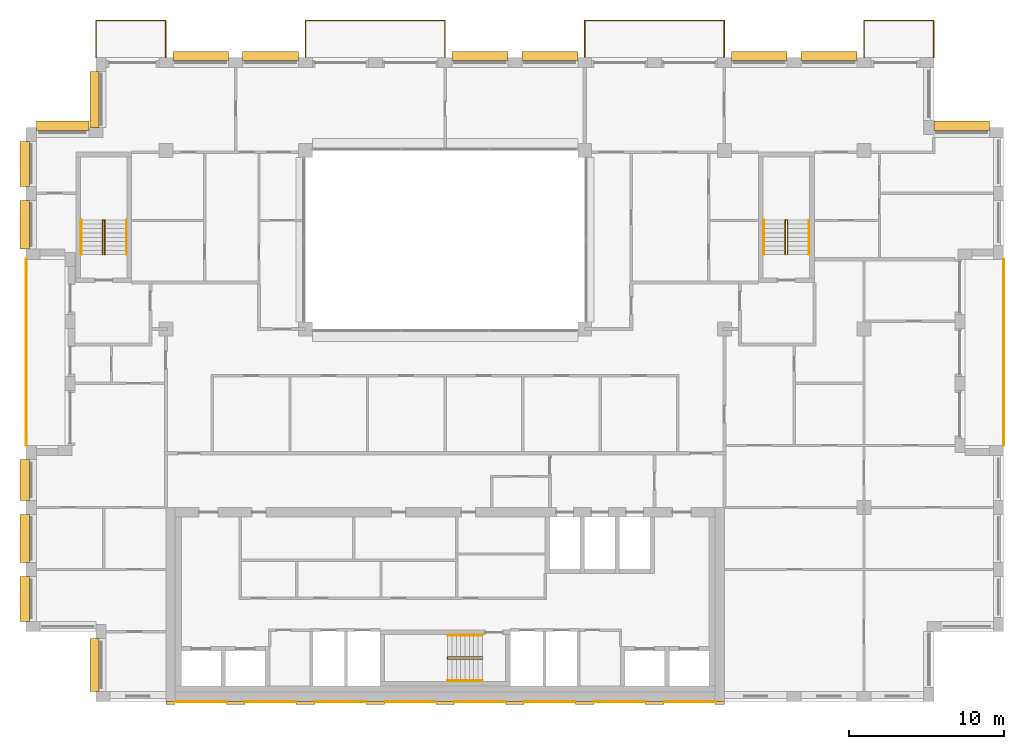
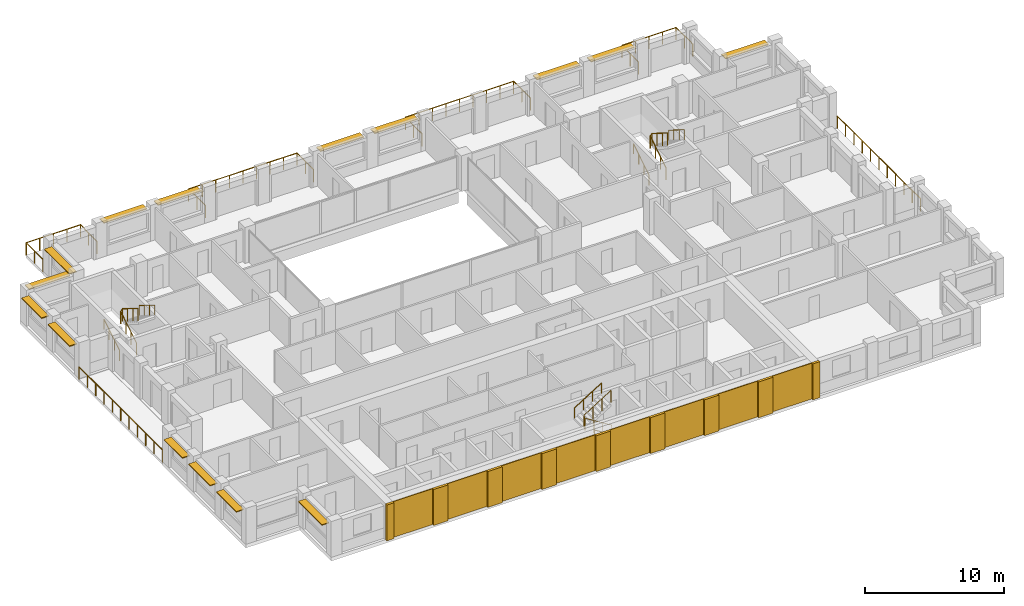
# One storey, part 15 of 15: 17 coverings, 15 railings, 15 shading devices.
"""IFC4 building model written with IfcOpenShell, lengths in metres."""

from ifc_helpers import new_model, si_unit, direction, frame, origin, origin_2d, place, context, subcontext, project, spatial, rectangle, circle, extrude, material, layer, layer_set, type_object, element, save


model = new_model("IFC4")

# Units and contexts
model_context = context("Model", 3, precision=1e-05, world=origin(), true_north=direction((0.0, 1.0)))
body_context = subcontext(model_context, "Body", "Model", "MODEL_VIEW")
ifc_project = project(units=[si_unit("LENGTHUNIT", "METRE"), si_unit("AREAUNIT", "SQUARE_METRE"), si_unit("VOLUMEUNIT", "CUBIC_METRE"), si_unit("PLANEANGLEUNIT", "RADIAN"), si_unit("MASSUNIT", "GRAM", prefix="KILO")], contexts=[model_context])

# Site, building, storey
site_placement = place(None, origin())
site = spatial("IfcSite", under=ifc_project, at=site_placement, CompositionType="ELEMENT")
building_placement = place(site_placement, origin())
building = spatial("IfcBuilding", under=site, at=building_placement, Name="Brigalow Station Residences", CompositionType="ELEMENT")
storey_placement = place(building_placement, frame((0.0, 0.0, 207.449951171875)))
storey = spatial("IfcBuildingStorey", under=building, at=storey_placement, Name="L59", CompositionType="ELEMENT", Elevation=207.449951171875)

# Railings
ifc_material_1 = material(Name="Stainless steel balustrade with laminated glass infill", Category="steel")
railing_type_1 = type_object("IfcRailingType", Name="BALCONY GUARD 1100", PredefinedType="GUARDRAIL", material=ifc_material_1)
railing_1_placement = place(storey_placement, frame((72.0, 16.5, -0.0400390625)))
element("IfcRailing", 1, at=railing_1_placement, inside=storey, type_object=railing_type_1, Name="L59/balcony-guard/1", PredefinedType="GUARDRAIL", context=body_context, shape_type="SweptSolid", body=[
    extrude(circle(Radius=0.02392578125, at=origin_2d()), frame((0.0, 0.0, 1.076171875), z_axis=(0.0, 1.0, 0.0), x_axis=(-1.0, 0.0, 0.0)), (0.0, 0.0, 1.0), 12.0),
    extrude(circle(Radius=0.02099609375, at=origin_2d()), origin(), (0.0, 0.0, 1.0), 1.052001953125),
    extrude(circle(Radius=0.02099609375, at=origin_2d()), frame((0.0, 1.199951171875, 0.0)), (0.0, 0.0, 1.0), 1.052001953125),
    extrude(circle(Radius=0.02099609375, at=origin_2d()), frame((0.0, 2.39990234375, 0.0)), (0.0, 0.0, 1.0), 1.052001953125),
    extrude(circle(Radius=0.02099609375, at=origin_2d()), frame((0.0, 3.60009765625, 0.0)), (0.0, 0.0, 1.0), 1.052001953125),
    extrude(circle(Radius=0.02099609375, at=origin_2d()), frame((0.0, 4.800048828125, 0.0)), (0.0, 0.0, 1.0), 1.052001953125),
    extrude(circle(Radius=0.02099609375, at=origin_2d()), frame((0.0, 6.0, 0.0)), (0.0, 0.0, 1.0), 1.052001953125),
    extrude(circle(Radius=0.02099609375, at=origin_2d()), frame((0.0, 7.199951171875, 0.0)), (0.0, 0.0, 1.0), 1.052001953125),
    extrude(circle(Radius=0.02099609375, at=origin_2d()), frame((0.0, 8.39990234375, 0.0)), (0.0, 0.0, 1.0), 1.052001953125),
    extrude(circle(Radius=0.02099609375, at=origin_2d()), frame((0.0, 9.60009765625, 0.0)), (0.0, 0.0, 1.0), 1.052001953125),
    extrude(circle(Radius=0.02099609375, at=origin_2d()), frame((0.0, 10.800048828125, 0.0)), (0.0, 0.0, 1.0), 1.052001953125),
    extrude(circle(Radius=0.02099609375, at=origin_2d()), frame((0.0, 12.0, 0.0)), (0.0, 0.0, 1.0), 1.052001953125),
])
railing_2_placement = place(storey_placement, frame((67.5, 41.5, -0.0400390625)))
element("IfcRailing", 2, at=railing_2_placement, inside=storey, type_object=railing_type_1, Name="L59/balcony-guard/2", PredefinedType="GUARDRAIL", context=body_context, shape_type="SweptSolid", body=[
    extrude(circle(Radius=0.02392578125, at=origin_2d()), frame((0.0, 0.0, 1.076171875), z_axis=(0.0, 1.0, 0.0), x_axis=(-1.0, 0.0, 0.0)), (0.0, 0.0, 1.0), 2.39990234375),
    extrude(circle(Radius=0.02392578125, at=origin_2d()), frame((0.0, 2.39990234375, 1.076171875), z_axis=(-1.0, 0.0, 0.0), x_axis=(0.0, -1.0, 0.0)), (0.0, 0.0, 1.0), 4.5),
    extrude(circle(Radius=0.02392578125, at=origin_2d()), frame((-4.5, 2.39990234375, 1.076171875), z_axis=(0.0, -1.0, 0.0), x_axis=(1.0, 0.0, 0.0)), (0.0, 0.0, 1.0), 2.39990234375),
    extrude(circle(Radius=0.02099609375, at=origin_2d()), origin(), (0.0, 0.0, 1.0), 1.052001953125),
    extrude(circle(Radius=0.02099609375, at=origin_2d()), frame((0.0, 1.199951171875, 0.0)), (0.0, 0.0, 1.0), 1.052001953125),
    extrude(circle(Radius=0.02099609375, at=origin_2d()), frame((0.0, 2.39990234375, 0.0)), (0.0, 0.0, 1.0), 1.052001953125),
    extrude(circle(Radius=0.02099609375, at=origin_2d()), frame((-1.125, 2.39990234375, 0.0)), (0.0, 0.0, 1.0), 1.052001953125),
    extrude(circle(Radius=0.02099609375, at=origin_2d()), frame((-2.25, 2.39990234375, 0.0)), (0.0, 0.0, 1.0), 1.052001953125),
    extrude(circle(Radius=0.02099609375, at=origin_2d()), frame((-3.375, 2.39990234375, 0.0)), (0.0, 0.0, 1.0), 1.052001953125),
    extrude(circle(Radius=0.02099609375, at=origin_2d()), frame((-4.5, 2.39990234375, 0.0)), (0.0, 0.0, 1.0), 1.052001953125),
    extrude(circle(Radius=0.02099609375, at=origin_2d()), frame((-4.5, 1.199951171875, 0.0)), (0.0, 0.0, 1.0), 1.052001953125),
    extrude(circle(Radius=0.02099609375, at=origin_2d()), frame((-4.5, 0.0, 0.0)), (0.0, 0.0, 1.0), 1.052001953125),
])
railing_3_placement = place(storey_placement, frame((54.0, 41.5, -0.0400390625)))
element("IfcRailing", 3, at=railing_3_placement, inside=storey, type_object=railing_type_1, Name="L59/balcony-guard/3", PredefinedType="GUARDRAIL", context=body_context, shape_type="SweptSolid", body=[
    extrude(circle(Radius=0.02392578125, at=origin_2d()), frame((0.0, 0.0, 1.076171875), z_axis=(0.0, 1.0, 0.0), x_axis=(-1.0, 0.0, 0.0)), (0.0, 0.0, 1.0), 2.39990234375),
    extrude(circle(Radius=0.02392578125, at=origin_2d()), frame((0.0, 2.39990234375, 1.076171875), z_axis=(-1.0, 0.0, 0.0), x_axis=(0.0, -1.0, 0.0)), (0.0, 0.0, 1.0), 9.0),
    extrude(circle(Radius=0.02392578125, at=origin_2d()), frame((-9.0, 2.39990234375, 1.076171875), z_axis=(0.0, -1.0, 0.0), x_axis=(1.0, 0.0, 0.0)), (0.0, 0.0, 1.0), 2.39990234375),
    extrude(circle(Radius=0.02099609375, at=origin_2d()), origin(), (0.0, 0.0, 1.0), 1.052001953125),
    extrude(circle(Radius=0.02099609375, at=origin_2d()), frame((0.0, 1.199951171875, 0.0)), (0.0, 0.0, 1.0), 1.052001953125),
    extrude(circle(Radius=0.02099609375, at=origin_2d()), frame((0.0, 2.39990234375, 0.0)), (0.0, 0.0, 1.0), 1.052001953125),
    extrude(circle(Radius=0.02099609375, at=origin_2d()), frame((-1.125, 2.39990234375, 0.0)), (0.0, 0.0, 1.0), 1.052001953125),
    extrude(circle(Radius=0.02099609375, at=origin_2d()), frame((-2.25, 2.39990234375, 0.0)), (0.0, 0.0, 1.0), 1.052001953125),
    extrude(circle(Radius=0.02099609375, at=origin_2d()), frame((-3.375, 2.39990234375, 0.0)), (0.0, 0.0, 1.0), 1.052001953125),
    extrude(circle(Radius=0.02099609375, at=origin_2d()), frame((-4.5, 2.39990234375, 0.0)), (0.0, 0.0, 1.0), 1.052001953125),
    extrude(circle(Radius=0.02099609375, at=origin_2d()), frame((-5.625, 2.39990234375, 0.0)), (0.0, 0.0, 1.0), 1.052001953125),
    extrude(circle(Radius=0.02099609375, at=origin_2d()), frame((-6.75, 2.39990234375, 0.0)), (0.0, 0.0, 1.0), 1.052001953125),
    extrude(circle(Radius=0.02099609375, at=origin_2d()), frame((-7.875, 2.39990234375, 0.0)), (0.0, 0.0, 1.0), 1.052001953125),
    extrude(circle(Radius=0.02099609375, at=origin_2d()), frame((-9.0, 2.39990234375, 0.0)), (0.0, 0.0, 1.0), 1.052001953125),
    extrude(circle(Radius=0.02099609375, at=origin_2d()), frame((-9.0, 1.199951171875, 0.0)), (0.0, 0.0, 1.0), 1.052001953125),
    extrude(circle(Radius=0.02099609375, at=origin_2d()), frame((-9.0, 0.0, 0.0)), (0.0, 0.0, 1.0), 1.052001953125),
])
railing_4_placement = place(storey_placement, frame((36.0, 41.5, -0.0400390625)))
element("IfcRailing", 4, at=railing_4_placement, inside=storey, type_object=railing_type_1, Name="L59/balcony-guard/4", PredefinedType="GUARDRAIL", context=body_context, shape_type="SweptSolid", body=[
    extrude(circle(Radius=0.02392578125, at=origin_2d()), frame((0.0, 0.0, 1.076171875), z_axis=(0.0, 1.0, 0.0), x_axis=(-1.0, 0.0, 0.0)), (0.0, 0.0, 1.0), 2.39990234375),
    extrude(circle(Radius=0.02392578125, at=origin_2d()), frame((0.0, 2.39990234375, 1.076171875), z_axis=(-1.0, 0.0, 0.0), x_axis=(0.0, -1.0, 0.0)), (0.0, 0.0, 1.0), 9.0),
    extrude(circle(Radius=0.02392578125, at=origin_2d()), frame((-9.0, 2.39990234375, 1.076171875), z_axis=(0.0, -1.0, 0.0), x_axis=(1.0, 0.0, 0.0)), (0.0, 0.0, 1.0), 2.39990234375),
    extrude(circle(Radius=0.02099609375, at=origin_2d()), origin(), (0.0, 0.0, 1.0), 1.052001953125),
    extrude(circle(Radius=0.02099609375, at=origin_2d()), frame((0.0, 1.199951171875, 0.0)), (0.0, 0.0, 1.0), 1.052001953125),
    extrude(circle(Radius=0.02099609375, at=origin_2d()), frame((0.0, 2.39990234375, 0.0)), (0.0, 0.0, 1.0), 1.052001953125),
    extrude(circle(Radius=0.02099609375, at=origin_2d()), frame((-1.125, 2.39990234375, 0.0)), (0.0, 0.0, 1.0), 1.052001953125),
    extrude(circle(Radius=0.02099609375, at=origin_2d()), frame((-2.25, 2.39990234375, 0.0)), (0.0, 0.0, 1.0), 1.052001953125),
    extrude(circle(Radius=0.02099609375, at=origin_2d()), frame((-3.375, 2.39990234375, 0.0)), (0.0, 0.0, 1.0), 1.052001953125),
    extrude(circle(Radius=0.02099609375, at=origin_2d()), frame((-4.5, 2.39990234375, 0.0)), (0.0, 0.0, 1.0), 1.052001953125),
    extrude(circle(Radius=0.02099609375, at=origin_2d()), frame((-5.625, 2.39990234375, 0.0)), (0.0, 0.0, 1.0), 1.052001953125),
    extrude(circle(Radius=0.02099609375, at=origin_2d()), frame((-6.75, 2.39990234375, 0.0)), (0.0, 0.0, 1.0), 1.052001953125),
    extrude(circle(Radius=0.02099609375, at=origin_2d()), frame((-7.875, 2.39990234375, 0.0)), (0.0, 0.0, 1.0), 1.052001953125),
    extrude(circle(Radius=0.02099609375, at=origin_2d()), frame((-9.0, 2.39990234375, 0.0)), (0.0, 0.0, 1.0), 1.052001953125),
    extrude(circle(Radius=0.02099609375, at=origin_2d()), frame((-9.0, 1.199951171875, 0.0)), (0.0, 0.0, 1.0), 1.052001953125),
    extrude(circle(Radius=0.02099609375, at=origin_2d()), frame((-9.0, 0.0, 0.0)), (0.0, 0.0, 1.0), 1.052001953125),
])
railing_5_placement = place(storey_placement, frame((18.0, 41.5, -0.0400390625)))
element("IfcRailing", 5, at=railing_5_placement, inside=storey, type_object=railing_type_1, Name="L59/balcony-guard/5", PredefinedType="GUARDRAIL", context=body_context, shape_type="SweptSolid", body=[
    extrude(circle(Radius=0.02392578125, at=origin_2d()), frame((0.0, 0.0, 1.076171875), z_axis=(0.0, 1.0, 0.0), x_axis=(-1.0, 0.0, 0.0)), (0.0, 0.0, 1.0), 2.39990234375),
    extrude(circle(Radius=0.02392578125, at=origin_2d()), frame((0.0, 2.39990234375, 1.076171875), z_axis=(-1.0, 0.0, 0.0), x_axis=(0.0, -1.0, 0.0)), (0.0, 0.0, 1.0), 4.5),
    extrude(circle(Radius=0.02392578125, at=origin_2d()), frame((-4.5, 2.39990234375, 1.076171875), z_axis=(0.0, -1.0, 0.0), x_axis=(1.0, 0.0, 0.0)), (0.0, 0.0, 1.0), 2.39990234375),
    extrude(circle(Radius=0.02099609375, at=origin_2d()), origin(), (0.0, 0.0, 1.0), 1.052001953125),
    extrude(circle(Radius=0.02099609375, at=origin_2d()), frame((0.0, 1.199951171875, 0.0)), (0.0, 0.0, 1.0), 1.052001953125),
    extrude(circle(Radius=0.02099609375, at=origin_2d()), frame((0.0, 2.39990234375, 0.0)), (0.0, 0.0, 1.0), 1.052001953125),
    extrude(circle(Radius=0.02099609375, at=origin_2d()), frame((-1.125, 2.39990234375, 0.0)), (0.0, 0.0, 1.0), 1.052001953125),
    extrude(circle(Radius=0.02099609375, at=origin_2d()), frame((-2.25, 2.39990234375, 0.0)), (0.0, 0.0, 1.0), 1.052001953125),
    extrude(circle(Radius=0.02099609375, at=origin_2d()), frame((-3.375, 2.39990234375, 0.0)), (0.0, 0.0, 1.0), 1.052001953125),
    extrude(circle(Radius=0.02099609375, at=origin_2d()), frame((-4.5, 2.39990234375, 0.0)), (0.0, 0.0, 1.0), 1.052001953125),
    extrude(circle(Radius=0.02099609375, at=origin_2d()), frame((-4.5, 1.199951171875, 0.0)), (0.0, 0.0, 1.0), 1.052001953125),
    extrude(circle(Radius=0.02099609375, at=origin_2d()), frame((-4.5, 0.0, 0.0)), (0.0, 0.0, 1.0), 1.052001953125),
])
railing_6_placement = place(storey_placement, frame((9.0, 28.5, -0.0400390625)))
element("IfcRailing", 6, at=railing_6_placement, inside=storey, type_object=railing_type_1, Name="L59/balcony-guard/6", PredefinedType="GUARDRAIL", context=body_context, shape_type="SweptSolid", body=[
    extrude(circle(Radius=0.02392578125, at=origin_2d()), frame((0.0, 0.0, 1.076171875), z_axis=(0.0, -1.0, 0.0), x_axis=(1.0, 0.0, 0.0)), (0.0, 0.0, 1.0), 12.0),
    extrude(circle(Radius=0.02099609375, at=origin_2d()), origin(), (0.0, 0.0, 1.0), 1.052001953125),
    extrude(circle(Radius=0.02099609375, at=origin_2d()), frame((0.0, -1.199951171875, 0.0)), (0.0, 0.0, 1.0), 1.052001953125),
    extrude(circle(Radius=0.02099609375, at=origin_2d()), frame((0.0, -2.39990234375, 0.0)), (0.0, 0.0, 1.0), 1.052001953125),
    extrude(circle(Radius=0.02099609375, at=origin_2d()), frame((0.0, -3.60009765625, 0.0)), (0.0, 0.0, 1.0), 1.052001953125),
    extrude(circle(Radius=0.02099609375, at=origin_2d()), frame((0.0, -4.800048828125, 0.0)), (0.0, 0.0, 1.0), 1.052001953125),
    extrude(circle(Radius=0.02099609375, at=origin_2d()), frame((0.0, -6.0, 0.0)), (0.0, 0.0, 1.0), 1.052001953125),
    extrude(circle(Radius=0.02099609375, at=origin_2d()), frame((0.0, -7.199951171875, 0.0)), (0.0, 0.0, 1.0), 1.052001953125),
    extrude(circle(Radius=0.02099609375, at=origin_2d()), frame((0.0, -8.39990234375, 0.0)), (0.0, 0.0, 1.0), 1.052001953125),
    extrude(circle(Radius=0.02099609375, at=origin_2d()), frame((0.0, -9.60009765625, 0.0)), (0.0, 0.0, 1.0), 1.052001953125),
    extrude(circle(Radius=0.02099609375, at=origin_2d()), frame((0.0, -10.800048828125, 0.0)), (0.0, 0.0, 1.0), 1.052001953125),
    extrude(circle(Radius=0.02099609375, at=origin_2d()), frame((0.0, -12.0, 0.0)), (0.0, 0.0, 1.0), 1.052001953125),
])

# Coverings
ifc_material_2 = material(Name="Clay brick masonry", Category="masonry")
ifc_layer_1 = layer(ifc_material_2, 0.06005859375)
ifc_layer_set_1 = layer_set([ifc_layer_1], Name="BRICK PANEL FACING 60")
covering_type_1 = type_object("IfcCoveringType", Name="BRICK PANEL FACING 60", PredefinedType="CLADDING", material=ifc_layer_set_1)
for number, where, z_axis, x_axis, name in (
    (7, (20.25, -0.030029296875, 0.0), (0.0, 0.0, 1.0), (1.0, 0.0, 0.0), "L59/rear-facing/panel-1"),
    (8, (24.75, -0.030029296875, 0.0), (0.0, 0.0, 1.0), (1.0, 0.0, 0.0), "L59/rear-facing/panel-2"),
    (9, (29.25, -0.030029296875, 0.0), (0.0, 0.0, 1.0), (1.0, 0.0, 0.0), "L59/rear-facing/panel-3"),
    (10, (33.75, -0.030029296875, 0.0), (0.0, 0.0, 1.0), (1.0, 0.0, 0.0), "L59/rear-facing/panel-4"),
    (11, (38.25, -0.030029296875, 0.0), (0.0, 0.0, 1.0), (1.0, 0.0, 0.0), "L59/rear-facing/panel-5"),
    (12, (42.75, -0.030029296875, 0.0), (0.0, 0.0, 1.0), (1.0, 0.0, 0.0), "L59/rear-facing/panel-6"),
    (13, (47.25, -0.030029296875, 0.0), (0.0, 0.0, 1.0), (1.0, 0.0, 0.0), "L59/rear-facing/panel-7"),
    (14, (51.75, -0.030029296875, 0.0), (0.0, 0.0, 1.0), (1.0, 0.0, 0.0), "L59/rear-facing/panel-8"),
):
    element("IfcCovering", number, at=place(storey_placement, frame(where, z_axis=z_axis, x_axis=x_axis)), inside=storey, type_object=covering_type_1, Name=name, PredefinedType="CLADDING", context=body_context, shape_type="SweptSolid", body=[
        extrude(rectangle(XDim=3.300048828125, YDim=0.06005859375, at=origin_2d()), origin(), (0.0, 0.0, 1.0), 3.14990234375),
    ])
ifc_material_3 = material(Name="Clay brick masonry", Category="masonry")
ifc_layer_2 = layer(ifc_material_3, 0.199951171875)
ifc_layer_set_2 = layer_set([ifc_layer_2], Name="BRICK PIER FACING 200")
covering_type_2 = type_object("IfcCoveringType", Name="BRICK PIER FACING 200", PredefinedType="CLADDING", material=ifc_layer_set_2)
covering_1_placement = place(storey_placement, frame((18.300048828125, -0.10009765625, 0.0), z_axis=(0.0, 0.0, 1.0), x_axis=(1.0, 0.0, 0.0)))
element("IfcCovering", 15, at=covering_1_placement, inside=storey, type_object=covering_type_2, Name="L59/rear-facing/pier-1", PredefinedType="CLADDING", context=body_context, shape_type="SweptSolid", body=[
    extrude(rectangle(XDim=0.60009765625, YDim=0.199951171875, at=origin_2d()), origin(), (0.0, 0.0, 1.0), 3.14990234375),
])
for number, where, z_axis, x_axis, name in (
    (16, (22.5, -0.10009765625, 0.0), (0.0, 0.0, 1.0), (1.0, 0.0, 0.0), "L59/rear-facing/pier-2"),
    (17, (27.0, -0.10009765625, 0.0), (0.0, 0.0, 1.0), (1.0, 0.0, 0.0), "L59/rear-facing/pier-3"),
    (18, (31.5, -0.10009765625, 0.0), (0.0, 0.0, 1.0), (1.0, 0.0, 0.0), "L59/rear-facing/pier-4"),
    (19, (36.0, -0.10009765625, 0.0), (0.0, 0.0, 1.0), (1.0, 0.0, 0.0), "L59/rear-facing/pier-5"),
    (20, (40.5, -0.10009765625, 0.0), (0.0, 0.0, 1.0), (1.0, 0.0, 0.0), "L59/rear-facing/pier-6"),
    (21, (45.0, -0.10009765625, 0.0), (0.0, 0.0, 1.0), (1.0, 0.0, 0.0), "L59/rear-facing/pier-7"),
    (22, (49.5, -0.10009765625, 0.0), (0.0, 0.0, 1.0), (1.0, 0.0, 0.0), "L59/rear-facing/pier-8"),
):
    element("IfcCovering", number, at=place(storey_placement, frame(where, z_axis=z_axis, x_axis=x_axis)), inside=storey, type_object=covering_type_2, Name=name, PredefinedType="CLADDING", context=body_context, shape_type="SweptSolid", body=[
        extrude(rectangle(XDim=1.199951171875, YDim=0.199951171875, at=origin_2d()), origin(), (0.0, 0.0, 1.0), 3.14990234375),
    ])
covering_2_placement = place(storey_placement, frame((53.699951171875, -0.10009765625, 0.0), z_axis=(0.0, 0.0, 1.0), x_axis=(1.0, 0.0, 0.0)))
element("IfcCovering", 23, at=covering_2_placement, inside=storey, type_object=covering_type_2, Name="L59/rear-facing/pier-9", PredefinedType="CLADDING", context=body_context, shape_type="SweptSolid", body=[
    extrude(rectangle(XDim=0.60009765625, YDim=0.199951171875, at=origin_2d()), origin(), (0.0, 0.0, 1.0), 3.14990234375),
])

# Railings
ifc_material_4 = material(Name="Stainless steel balustrade", Category="steel")
railing_type_2 = type_object("IfcRailingType", Name="STAIR GUARD 1100", PredefinedType="GUARDRAIL", material=ifc_material_4)
railing_7_placement = place(storey_placement, frame((38.39990234375, 2.72998046875, 0.175048828125)))
element("IfcRailing", 24, at=railing_7_placement, inside=storey, type_object=railing_type_2, Name="GUARD GR-2", PredefinedType="GUARDRAIL", context=body_context, shape_type="SweptSolid", body=[
    extrude(circle(Radius=0.02392578125, at=origin_2d()), frame((0.0, 0.0, 1.076171875), z_axis=(-0.848013881152, 0.0, 0.529974015752), x_axis=(0.0, -1.0, 0.0)), (0.0, 0.0, 1.0), 2.641357421875),
    extrude(circle(Radius=0.02392578125, at=origin_2d()), frame((-2.239990234375, 0.0, 2.47607421875), z_axis=(0.0, 0.624960567888, 0.780656319122), x_axis=(-1.0, 0.0, 0.0)), (0.0, 0.0, 1.0), 0.22412109375),
    extrude(circle(Radius=0.02392578125, at=origin_2d()), frame((-2.239990234375, 0.14013671875, 2.65087890625), z_axis=(0.847972341737, 0.0, 0.530040477369), x_axis=(0.0, 1.0, 0.0)), (0.0, 0.0, 1.0), 2.6416015625),
    extrude(circle(Radius=0.02099609375, at=origin_2d()), origin(), (0.0, 0.0, 1.0), 1.052001953125),
    extrude(circle(Radius=0.02099609375, at=origin_2d()), frame((-0.74658203125, 0.0, 0.466552734375)), (0.0, 0.0, 1.0), 1.052001953125),
    extrude(circle(Radius=0.02099609375, at=origin_2d()), frame((-1.493408203125, 0.0, 0.933349609375)), (0.0, 0.0, 1.0), 1.052001953125),
    extrude(circle(Radius=0.02099609375, at=origin_2d()), frame((-2.239990234375, 0.0, 1.39990234375)), (0.0, 0.0, 1.0), 1.052001953125),
    extrude(circle(Radius=0.02099609375, at=origin_2d()), frame((-2.239990234375, 0.14013671875, 1.574951171875)), (0.0, 0.0, 1.0), 1.052001953125),
    extrude(circle(Radius=0.02099609375, at=origin_2d()), frame((-1.493408203125, 0.14013671875, 2.041748046875)), (0.0, 0.0, 1.0), 1.052001953125),
    extrude(circle(Radius=0.02099609375, at=origin_2d()), frame((-0.74658203125, 0.14013671875, 2.50830078125)), (0.0, 0.0, 1.0), 1.052001953125),
    extrude(circle(Radius=0.02099609375, at=origin_2d()), frame((0.0, 0.14013671875, 2.97509765625)), (0.0, 0.0, 1.0), 1.052001953125),
])
for number, where, name in (
    (25, (13.929931640625, 28.800048828125, 0.175048828125), "GUARD GR-1"),
    (26, (57.929931640625, 28.800048828125, 0.175048828125), "GUARD GR-3"),
):
    element("IfcRailing", number, at=place(storey_placement, frame(where)), inside=storey, type_object=railing_type_2, Name=name, PredefinedType="GUARDRAIL", context=body_context, shape_type="SweptSolid", body=[
        extrude(circle(Radius=0.02392578125, at=origin_2d()), frame((0.0, 0.0, 1.076171875), z_axis=(0.0, 0.848013881152, 0.529974015752), x_axis=(-1.0, 0.0, 0.0)), (0.0, 0.0, 1.0), 2.641357421875),
        extrude(circle(Radius=0.02392578125, at=origin_2d()), frame((0.0, 2.239990234375, 2.47607421875), z_axis=(0.624960567888, 0.0, 0.780656319122), x_axis=(0.0, 1.0, 0.0)), (0.0, 0.0, 1.0), 0.22412109375),
        extrude(circle(Radius=0.02392578125, at=origin_2d()), frame((0.14013671875, 2.239990234375, 2.65087890625), z_axis=(0.0, -0.847972341737, 0.530040477369), x_axis=(1.0, 0.0, 0.0)), (0.0, 0.0, 1.0), 2.6416015625),
        extrude(circle(Radius=0.02099609375, at=origin_2d()), origin(), (0.0, 0.0, 1.0), 1.052001953125),
        extrude(circle(Radius=0.02099609375, at=origin_2d()), frame((0.0, 0.74658203125, 0.466552734375)), (0.0, 0.0, 1.0), 1.052001953125),
        extrude(circle(Radius=0.02099609375, at=origin_2d()), frame((0.0, 1.493408203125, 0.933349609375)), (0.0, 0.0, 1.0), 1.052001953125),
        extrude(circle(Radius=0.02099609375, at=origin_2d()), frame((0.0, 2.239990234375, 1.39990234375)), (0.0, 0.0, 1.0), 1.052001953125),
        extrude(circle(Radius=0.02099609375, at=origin_2d()), frame((0.14013671875, 2.239990234375, 1.574951171875)), (0.0, 0.0, 1.0), 1.052001953125),
        extrude(circle(Radius=0.02099609375, at=origin_2d()), frame((0.14013671875, 1.493408203125, 2.041748046875)), (0.0, 0.0, 1.0), 1.052001953125),
        extrude(circle(Radius=0.02099609375, at=origin_2d()), frame((0.14013671875, 0.74658203125, 2.50830078125)), (0.0, 0.0, 1.0), 1.052001953125),
        extrude(circle(Radius=0.02099609375, at=origin_2d()), frame((0.14013671875, 0.0, 2.97509765625)), (0.0, 0.0, 1.0), 1.052001953125),
    ])
ifc_material_5 = material(Name="Stainless steel handrail", Category="steel")
railing_type_3 = type_object("IfcRailingType", Name="STAIR HANDRAIL 900", PredefinedType="HANDRAIL", material=ifc_material_5)
railing_8_placement = place(storey_placement, frame((38.39990234375, 1.340087890625, 0.175048828125)))
element("IfcRailing", 27, at=railing_8_placement, inside=storey, type_object=railing_type_3, Name="HANDRAIL HR-21", PredefinedType="HANDRAIL", context=body_context, shape_type="SweptSolid", body=[
    extrude(circle(Radius=0.02392578125, at=origin_2d()), frame((0.0, 0.0, 0.8759765625), z_axis=(-0.848013881152, 0.0, 0.529974015752), x_axis=(0.0, -1.0, 0.0)), (0.0, 0.0, 1.0), 2.641357421875),
    extrude(circle(Radius=0.02099609375, at=origin_2d()), origin(), (0.0, 0.0, 1.0), 0.851806640625),
    extrude(circle(Radius=0.02099609375, at=origin_2d()), frame((-0.74658203125, 0.0, 0.466552734375)), (0.0, 0.0, 1.0), 0.851806640625),
    extrude(circle(Radius=0.02099609375, at=origin_2d()), frame((-1.493408203125, 0.0, 0.933349609375)), (0.0, 0.0, 1.0), 0.851806640625),
    extrude(circle(Radius=0.02099609375, at=origin_2d()), frame((-2.239990234375, 0.0, 1.39990234375)), (0.0, 0.0, 1.0), 0.851806640625),
])
railing_9_placement = place(storey_placement, frame((36.159912109375, 4.260009765625, 1.75)))
element("IfcRailing", 28, at=railing_9_placement, inside=storey, type_object=railing_type_3, Name="HANDRAIL HR-22", PredefinedType="HANDRAIL", context=body_context, shape_type="SweptSolid", body=[
    extrude(circle(Radius=0.02392578125, at=origin_2d()), frame((0.0, 0.0, 0.8759765625), z_axis=(0.847972341737, 0.0, 0.530040477369), x_axis=(0.0, 1.0, 0.0)), (0.0, 0.0, 1.0), 2.6416015625),
    extrude(circle(Radius=0.02099609375, at=origin_2d()), origin(), (0.0, 0.0, 1.0), 0.851806640625),
    extrude(circle(Radius=0.02099609375, at=origin_2d()), frame((0.74658203125, 0.0, 0.466796875)), (0.0, 0.0, 1.0), 0.851806640625),
    extrude(circle(Radius=0.02099609375, at=origin_2d()), frame((1.493408203125, 0.0, 0.933349609375)), (0.0, 0.0, 1.0), 0.851806640625),
    extrude(circle(Radius=0.02099609375, at=origin_2d()), frame((2.239990234375, 0.0, 1.400146484375)), (0.0, 0.0, 1.0), 0.851806640625),
])
railing_10_placement = place(storey_placement, frame((12.5400390625, 28.800048828125, 0.175048828125)))
element("IfcRailing", 29, at=railing_10_placement, inside=storey, type_object=railing_type_3, Name="HANDRAIL HR-11", PredefinedType="HANDRAIL", context=body_context, shape_type="SweptSolid", body=[
    extrude(circle(Radius=0.02392578125, at=origin_2d()), frame((0.0, 0.0, 0.8759765625), z_axis=(0.0, 0.848013881152, 0.529974015752), x_axis=(-1.0, 0.0, 0.0)), (0.0, 0.0, 1.0), 2.641357421875),
    extrude(circle(Radius=0.02099609375, at=origin_2d()), origin(), (0.0, 0.0, 1.0), 0.851806640625),
    extrude(circle(Radius=0.02099609375, at=origin_2d()), frame((0.0, 0.74658203125, 0.466552734375)), (0.0, 0.0, 1.0), 0.851806640625),
    extrude(circle(Radius=0.02099609375, at=origin_2d()), frame((0.0, 1.493408203125, 0.933349609375)), (0.0, 0.0, 1.0), 0.851806640625),
    extrude(circle(Radius=0.02099609375, at=origin_2d()), frame((0.0, 2.239990234375, 1.39990234375)), (0.0, 0.0, 1.0), 0.851806640625),
])
railing_11_placement = place(storey_placement, frame((15.4599609375, 31.0400390625, 1.75)))
element("IfcRailing", 30, at=railing_11_placement, inside=storey, type_object=railing_type_3, Name="HANDRAIL HR-12", PredefinedType="HANDRAIL", context=body_context, shape_type="SweptSolid", body=[
    extrude(circle(Radius=0.02392578125, at=origin_2d()), frame((0.0, 0.0, 0.8759765625), z_axis=(0.0, -0.847972341737, 0.530040477369), x_axis=(1.0, 0.0, 0.0)), (0.0, 0.0, 1.0), 2.6416015625),
    extrude(circle(Radius=0.02099609375, at=origin_2d()), origin(), (0.0, 0.0, 1.0), 0.851806640625),
    extrude(circle(Radius=0.02099609375, at=origin_2d()), frame((0.0, -0.74658203125, 0.466796875)), (0.0, 0.0, 1.0), 0.851806640625),
    extrude(circle(Radius=0.02099609375, at=origin_2d()), frame((0.0, -1.493408203125, 0.933349609375)), (0.0, 0.0, 1.0), 0.851806640625),
    extrude(circle(Radius=0.02099609375, at=origin_2d()), frame((0.0, -2.239990234375, 1.400146484375)), (0.0, 0.0, 1.0), 0.851806640625),
])
railing_12_placement = place(storey_placement, frame((56.5400390625, 28.800048828125, 0.175048828125)))
element("IfcRailing", 31, at=railing_12_placement, inside=storey, type_object=railing_type_3, Name="HANDRAIL HR-31", PredefinedType="HANDRAIL", context=body_context, shape_type="SweptSolid", body=[
    extrude(circle(Radius=0.02392578125, at=origin_2d()), frame((0.0, 0.0, 0.8759765625), z_axis=(0.0, 0.848013881152, 0.529974015752), x_axis=(-1.0, 0.0, 0.0)), (0.0, 0.0, 1.0), 2.641357421875),
    extrude(circle(Radius=0.02099609375, at=origin_2d()), origin(), (0.0, 0.0, 1.0), 0.851806640625),
    extrude(circle(Radius=0.02099609375, at=origin_2d()), frame((0.0, 0.74658203125, 0.466552734375)), (0.0, 0.0, 1.0), 0.851806640625),
    extrude(circle(Radius=0.02099609375, at=origin_2d()), frame((0.0, 1.493408203125, 0.933349609375)), (0.0, 0.0, 1.0), 0.851806640625),
    extrude(circle(Radius=0.02099609375, at=origin_2d()), frame((0.0, 2.239990234375, 1.39990234375)), (0.0, 0.0, 1.0), 0.851806640625),
])
railing_13_placement = place(storey_placement, frame((59.4599609375, 31.0400390625, 1.75)))
element("IfcRailing", 32, at=railing_13_placement, inside=storey, type_object=railing_type_3, Name="HANDRAIL HR-32", PredefinedType="HANDRAIL", context=body_context, shape_type="SweptSolid", body=[
    extrude(circle(Radius=0.02392578125, at=origin_2d()), frame((0.0, 0.0, 0.8759765625), z_axis=(0.0, -0.847972341737, 0.530040477369), x_axis=(1.0, 0.0, 0.0)), (0.0, 0.0, 1.0), 2.6416015625),
    extrude(circle(Radius=0.02099609375, at=origin_2d()), origin(), (0.0, 0.0, 1.0), 0.851806640625),
    extrude(circle(Radius=0.02099609375, at=origin_2d()), frame((0.0, -0.74658203125, 0.466796875)), (0.0, 0.0, 1.0), 0.851806640625),
    extrude(circle(Radius=0.02099609375, at=origin_2d()), frame((0.0, -1.493408203125, 0.933349609375)), (0.0, 0.0, 1.0), 0.851806640625),
    extrude(circle(Radius=0.02099609375, at=origin_2d()), frame((0.0, -2.239990234375, 1.400146484375)), (0.0, 0.0, 1.0), 0.851806640625),
])

# Shading devices
ifc_material_6 = material(Name="Powder-coated extruded aluminium blade", Category="aluminium")
ifc_layer_3 = layer(ifc_material_6, 0.080078125)
ifc_layer_set_3 = layer_set([ifc_layer_3], Name="SUNSHADE BLADE 600x80")
shading_device_type = type_object("IfcShadingDeviceType", Name="SUNSHADE BLADE 600x80", PredefinedType="JALOUSIE", material=ifc_layer_set_3)
for number, where, z_axis, x_axis, name in (
    (33, (69.300048828125, 37.10009765625, 2.550048828125), (0.0, 0.0, 1.0), (-1.0, 0.0, 0.0), "L59/blade/W-L59-18"),
    (34, (60.75, 41.60009765625, 2.550048828125), (0.0, 0.0, 1.0), (-1.0, 0.0, 0.0), "L59/blade/W-L59-21"),
    (35, (56.25, 41.60009765625, 2.550048828125), (0.0, 0.0, 1.0), (-1.0, 0.0, 0.0), "L59/blade/W-L59-22"),
    (36, (42.75, 41.60009765625, 2.550048828125), (0.0, 0.0, 1.0), (-1.0, 0.0, 0.0), "L59/blade/W-L59-25"),
    (37, (38.25, 41.60009765625, 2.550048828125), (0.0, 0.0, 1.0), (-1.0, 0.0, 0.0), "L59/blade/W-L59-26"),
    (38, (24.75, 41.60009765625, 2.550048828125), (0.0, 0.0, 1.0), (-1.0, 0.0, 0.0), "L59/blade/W-L59-29"),
    (39, (20.25, 41.60009765625, 2.550048828125), (0.0, 0.0, 1.0), (-1.0, 0.0, 0.0), "L59/blade/W-L59-30"),
    (40, (13.39990234375, 38.800048828125, 2.550048828125), (0.0, 0.0, 1.0), (0.0, -1.0, 0.0), "L59/blade/W-L59-32"),
):
    element("IfcShadingDevice", number, at=place(storey_placement, frame(where, z_axis=z_axis, x_axis=x_axis)), inside=storey, type_object=shading_device_type, Name=name, PredefinedType="JALOUSIE", context=body_context, shape_type="SweptSolid", body=[
        extrude(rectangle(XDim=3.60009765625, YDim=0.60009765625, at=origin_2d()), origin(), (0.0, 0.0, 1.0), 0.080078125),
    ])
shading_device_1_placement = place(storey_placement, frame((11.35009765625, 37.10009765625, 2.550048828125), z_axis=(0.0, 0.0, 1.0), x_axis=(-1.0, 0.0, 0.0)))
element("IfcShadingDevice", 41, at=shading_device_1_placement, inside=storey, type_object=shading_device_type, Name="L59/blade/W-L59-33", PredefinedType="JALOUSIE", context=body_context, shape_type="SweptSolid", body=[
    extrude(rectangle(XDim=3.39990234375, YDim=0.60009765625, at=origin_2d()), origin(), (0.0, 0.0, 1.0), 0.080078125),
])
shading_device_2_placement = place(storey_placement, frame((8.89990234375, 34.64990234375, 2.550048828125), z_axis=(0.0, 0.0, 1.0), x_axis=(0.0, -1.0, 0.0)))
element("IfcShadingDevice", 42, at=shading_device_2_placement, inside=storey, type_object=shading_device_type, Name="L59/blade/W-L59-34", PredefinedType="JALOUSIE", context=body_context, shape_type="SweptSolid", body=[
    extrude(rectangle(XDim=2.89990234375, YDim=0.60009765625, at=origin_2d()), origin(), (0.0, 0.0, 1.0), 0.080078125),
])
shading_device_3_placement = place(storey_placement, frame((8.89990234375, 30.72509765625, 2.550048828125), z_axis=(0.0, 0.0, 1.0), x_axis=(0.0, -1.0, 0.0)))
element("IfcShadingDevice", 43, at=shading_device_3_placement, inside=storey, type_object=shading_device_type, Name="L59/blade/W-L59-35", PredefinedType="JALOUSIE", context=body_context, shape_type="SweptSolid", body=[
    extrude(rectangle(XDim=3.14990234375, YDim=0.60009765625, at=origin_2d()), origin(), (0.0, 0.0, 1.0), 0.080078125),
])
shading_device_4_placement = place(storey_placement, frame((8.89990234375, 14.27490234375, 2.550048828125), z_axis=(0.0, 0.0, 1.0), x_axis=(0.0, -1.0, 0.0)))
element("IfcShadingDevice", 44, at=shading_device_4_placement, inside=storey, type_object=shading_device_type, Name="L59/blade/W-L59-41", PredefinedType="JALOUSIE", context=body_context, shape_type="SweptSolid", body=[
    extrude(rectangle(XDim=2.64990234375, YDim=0.60009765625, at=origin_2d()), origin(), (0.0, 0.0, 1.0), 0.080078125),
])
shading_device_5_placement = place(storey_placement, frame((8.89990234375, 10.5, 2.550048828125), z_axis=(0.0, 0.0, 1.0), x_axis=(0.0, -1.0, 0.0)))
element("IfcShadingDevice", 45, at=shading_device_5_placement, inside=storey, type_object=shading_device_type, Name="L59/blade/W-L59-42", PredefinedType="JALOUSIE", context=body_context, shape_type="SweptSolid", body=[
    extrude(rectangle(XDim=3.10009765625, YDim=0.60009765625, at=origin_2d()), origin(), (0.0, 0.0, 1.0), 0.080078125),
])
shading_device_6_placement = place(storey_placement, frame((8.89990234375, 6.60009765625, 2.550048828125), z_axis=(0.0, 0.0, 1.0), x_axis=(0.0, -1.0, 0.0)))
element("IfcShadingDevice", 46, at=shading_device_6_placement, inside=storey, type_object=shading_device_type, Name="L59/blade/W-L59-43", PredefinedType="JALOUSIE", context=body_context, shape_type="SweptSolid", body=[
    extrude(rectangle(XDim=2.89990234375, YDim=0.60009765625, at=origin_2d()), origin(), (0.0, 0.0, 1.0), 0.080078125),
])
shading_device_7_placement = place(storey_placement, frame((13.39990234375, 2.35009765625, 2.550048828125), z_axis=(0.0, 0.0, 1.0), x_axis=(0.0, -1.0, 0.0)))
element("IfcShadingDevice", 47, at=shading_device_7_placement, inside=storey, type_object=shading_device_type, Name="L59/blade/W-L59-45", PredefinedType="JALOUSIE", context=body_context, shape_type="SweptSolid", body=[
    extrude(rectangle(XDim=3.39990234375, YDim=0.60009765625, at=origin_2d()), origin(), (0.0, 0.0, 1.0), 0.080078125),
])

save(model, "model.ifc")
